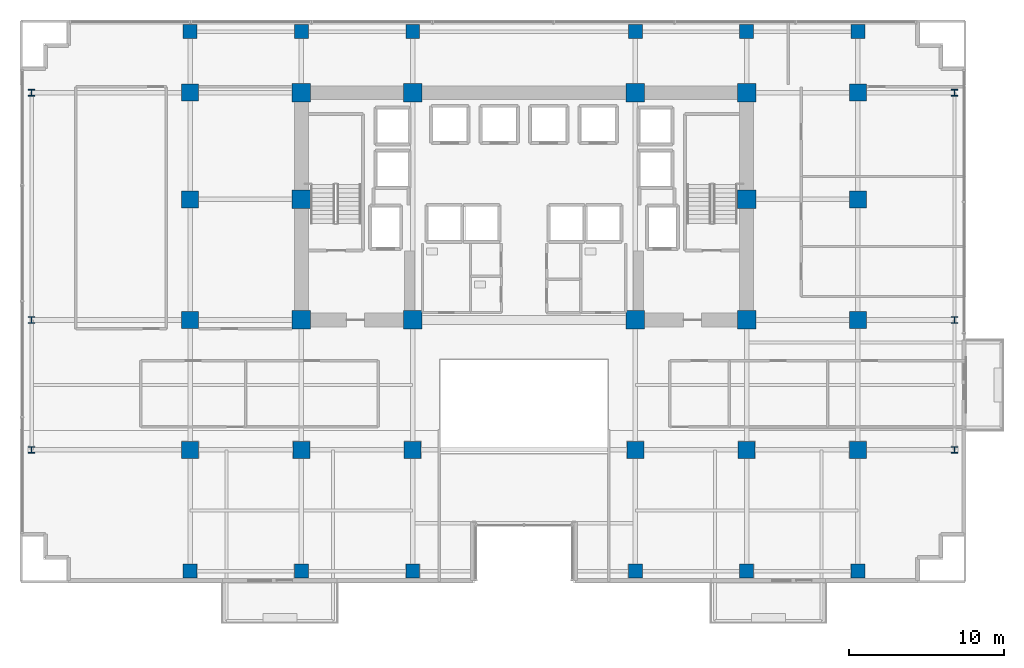
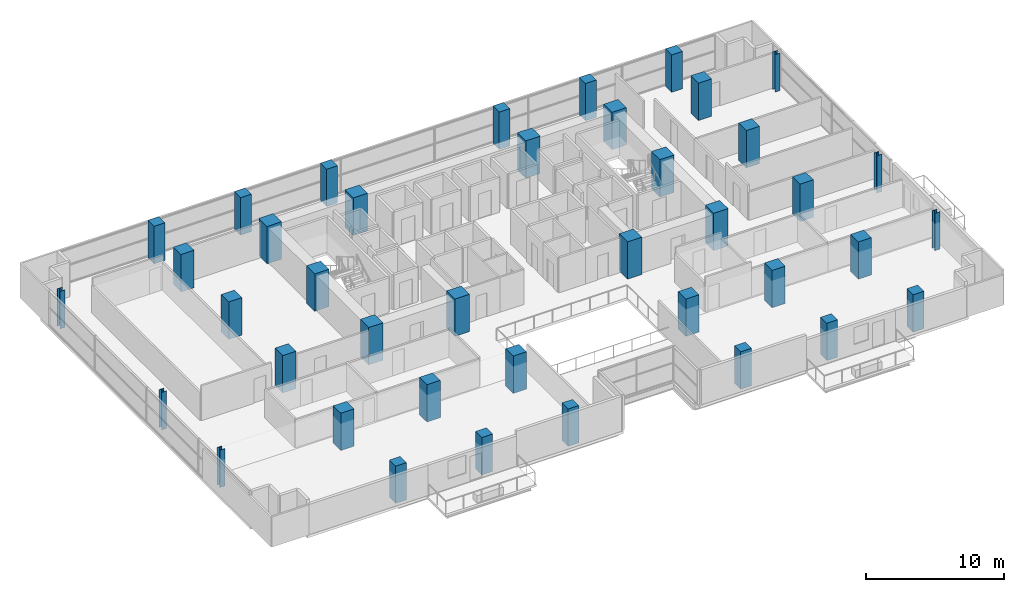
# One storey, part 1 of 30: 40 columns.
"""IFC4 building model written with IfcOpenShell, lengths in metres."""

from ifc_helpers import new_model, si_unit, direction, frame, origin, origin_2d, place, context, subcontext, project, spatial, rectangle, i_section, extrude, material, material_profile, profile_set, type_object, element, save


model = new_model("IFC4")

# Units and contexts
model_context = context("Model", 3, precision=1e-05, world=origin(), true_north=direction((0.0, 1.0)))
body_context = subcontext(model_context, "Body", "Model", "MODEL_VIEW")
ifc_project = project(units=[si_unit("LENGTHUNIT", "METRE"), si_unit("AREAUNIT", "SQUARE_METRE"), si_unit("VOLUMEUNIT", "CUBIC_METRE"), si_unit("PLANEANGLEUNIT", "RADIAN"), si_unit("MASSUNIT", "GRAM", prefix="KILO")], contexts=[model_context])

# Site, building, storey
site_placement = place(None, origin())
site = spatial("IfcSite", under=ifc_project, at=site_placement, CompositionType="ELEMENT")
building_placement = place(site_placement, origin())
building = spatial("IfcBuilding", under=site, at=building_placement, Name="Zarnakvel Exchange Tower", CompositionType="ELEMENT")
storey_placement = place(building_placement, frame((0.0, 0.0, 43.89990234375)))
storey = spatial("IfcBuildingStorey", under=building, at=storey_placement, Name="L11", CompositionType="ELEMENT", Elevation=43.89990234375)

# Columns
ifc_material_1 = material(Name="Concrete C80/95", Category="concrete")
ifc_material_profile_1 = material_profile(ifc_material_1, rectangle(XDim=1.199951171875, YDim=1.199951171875, at=origin_2d()))
ifc_profile_set_1 = profile_set([ifc_material_profile_1], Name="Concrete C80/95")
column_type_1 = type_object("IfcColumnType", Name="CC-01", PredefinedType="COLUMN", material=ifc_profile_set_1)
for number, where, z_axis, x_axis, name in (
    (1, (-14.39990234375, -1.199951171875, 0.0), (0.0, 0.0, 1.0), (1.0, 0.0, 0.0), "L11 Column C-4D (CC-01)"),
    (2, (-7.199951171875, -1.199951171875, 0.0), (0.0, 0.0, 1.0), (1.0, 0.0, 0.0), "L11 Column C-5D (CC-01)"),
    (3, (7.199951171875, -1.199951171875, 0.0), (0.0, 0.0, 1.0), (1.0, 0.0, 0.0), "L11 Column C-8D (CC-01)"),
    (4, (14.39990234375, -1.199951171875, 0.0), (0.0, 0.0, 1.0), (1.0, 0.0, 0.0), "L11 Column C-9D (CC-01)"),
    (5, (-14.39990234375, 6.60009765625, 0.0), (0.0, 0.0, 1.0), (1.0, 0.0, 0.0), "L11 Column C-4E (CC-01)"),
    (6, (14.39990234375, 6.60009765625, 0.0), (0.0, 0.0, 1.0), (1.0, 0.0, 0.0), "L11 Column C-9E (CC-01)"),
    (7, (-14.39990234375, 13.5, 0.0), (0.0, 0.0, 1.0), (1.0, 0.0, 0.0), "L11 Column C-4F (CC-01)"),
    (8, (-7.199951171875, 13.5, 0.0), (0.0, 0.0, 1.0), (1.0, 0.0, 0.0), "L11 Column C-5F (CC-01)"),
    (9, (7.199951171875, 13.5, 0.0), (0.0, 0.0, 1.0), (1.0, 0.0, 0.0), "L11 Column C-8F (CC-01)"),
    (10, (14.39990234375, 13.5, 0.0), (0.0, 0.0, 1.0), (1.0, 0.0, 0.0), "L11 Column C-9F (CC-01)"),
):
    element("IfcColumn", number, at=place(storey_placement, frame(where, z_axis=z_axis, x_axis=x_axis)), inside=storey, type_object=column_type_1, Name=name, PredefinedType="COLUMN", context=body_context, shape_type="SweptSolid", body=[
        extrude(rectangle(XDim=1.199951171875, YDim=1.199951171875, at=origin_2d()), origin(), (0.0, 0.0, 1.0), 3.300048828125),
    ])
ifc_material_2 = material(Name="Steel S355", Category="steel")
ifc_material_profile_2 = material_profile(ifc_material_2, i_section(OverallWidth=0.412109375, OverallDepth=0.425048828125, WebThickness=0.02587890625, FlangeThickness=0.0390625, FilletRadius=0.014892578125, at=origin_2d()))
ifc_profile_set_2 = profile_set([ifc_material_profile_2], Name="Steel S355")
column_type_2 = type_object("IfcColumnType", Name="SC-01", PredefinedType="COLUMN", material=ifc_profile_set_2)
for number, where, z_axis, x_axis, name in (
    (11, (-31.85009765625, -9.60009765625, 0.0), (0.0, 0.0, 1.0), (1.0, 0.0, 0.0), "L11 Column TW-C (SC-01)"),
    (12, (27.85009765625, -9.60009765625, 0.0), (0.0, 0.0, 1.0), (1.0, 0.0, 0.0), "L11 Column TE-C (SC-01)"),
    (13, (-31.85009765625, -1.199951171875, 0.0), (0.0, 0.0, 1.0), (1.0, 0.0, 0.0), "L11 Column TW-D (SC-01)"),
    (14, (27.85009765625, -1.199951171875, 0.0), (0.0, 0.0, 1.0), (1.0, 0.0, 0.0), "L11 Column TE-D (SC-01)"),
    (15, (-31.85009765625, 13.5, 0.0), (0.0, 0.0, 1.0), (1.0, 0.0, 0.0), "L11 Column TW-F (SC-01)"),
    (16, (27.85009765625, 13.5, 0.0), (0.0, 0.0, 1.0), (1.0, 0.0, 0.0), "L11 Column TE-F (SC-01)"),
):
    element("IfcColumn", number, at=place(storey_placement, frame(where, z_axis=z_axis, x_axis=x_axis)), inside=storey, type_object=column_type_2, Name=name, PredefinedType="COLUMN", context=body_context, shape_type="SweptSolid", body=[
        extrude(i_section(OverallWidth=0.412109375, OverallDepth=0.425048828125, WebThickness=0.02587890625, FlangeThickness=0.0390625, FilletRadius=0.014892578125, at=origin_2d()), origin(), (0.0, 0.0, 1.0), 3.300048828125),
    ])
ifc_material_profile_3 = material_profile(ifc_material_1, rectangle(XDim=1.10009765625, YDim=1.10009765625, at=origin_2d()))
ifc_profile_set_3 = profile_set([ifc_material_profile_3], Name="Concrete C80/95")
column_type_3 = type_object("IfcColumnType", Name="TC-01", PredefinedType="COLUMN", material=ifc_profile_set_3)
for number, where, z_axis, x_axis, name in (
    (17, (-14.39990234375, -9.60009765625, 0.0), (0.0, 0.0, 1.0), (1.0, 0.0, 0.0), "L11 Column T-4C (TC-01)"),
    (18, (-7.199951171875, -9.60009765625, 0.0), (0.0, 0.0, 1.0), (1.0, 0.0, 0.0), "L11 Column T-5C (TC-01)"),
    (19, (7.199951171875, -9.60009765625, 0.0), (0.0, 0.0, 1.0), (1.0, 0.0, 0.0), "L11 Column T-8C (TC-01)"),
    (20, (14.39990234375, -9.60009765625, 0.0), (0.0, 0.0, 1.0), (1.0, 0.0, 0.0), "L11 Column T-9C (TC-01)"),
    (21, (-21.60009765625, -9.60009765625, 0.0), (0.0, 0.0, 1.0), (1.0, 0.0, 0.0), "L11 Column T-3C (TC-01)"),
    (22, (-21.60009765625, -1.199951171875, 0.0), (0.0, 0.0, 1.0), (1.0, 0.0, 0.0), "L11 Column T-3D (TC-01)"),
    (23, (-21.60009765625, 6.60009765625, 0.0), (0.0, 0.0, 1.0), (1.0, 0.0, 0.0), "L11 Column T-3E (TC-01)"),
    (24, (-21.60009765625, 13.5, 0.0), (0.0, 0.0, 1.0), (1.0, 0.0, 0.0), "L11 Column T-3F (TC-01)"),
    (25, (21.60009765625, -9.60009765625, 0.0), (0.0, 0.0, 1.0), (1.0, 0.0, 0.0), "L11 Column T-10C (TC-01)"),
    (26, (21.60009765625, -1.199951171875, 0.0), (0.0, 0.0, 1.0), (1.0, 0.0, 0.0), "L11 Column T-10D (TC-01)"),
    (27, (21.60009765625, 6.60009765625, 0.0), (0.0, 0.0, 1.0), (1.0, 0.0, 0.0), "L11 Column T-10E (TC-01)"),
    (28, (21.60009765625, 13.5, 0.0), (0.0, 0.0, 1.0), (1.0, 0.0, 0.0), "L11 Column T-10F (TC-01)"),
):
    element("IfcColumn", number, at=place(storey_placement, frame(where, z_axis=z_axis, x_axis=x_axis)), inside=storey, type_object=column_type_3, Name=name, PredefinedType="COLUMN", context=body_context, shape_type="SweptSolid", body=[
        extrude(rectangle(XDim=1.10009765625, YDim=1.10009765625, at=origin_2d()), origin(), (0.0, 0.0, 1.0), 3.300048828125),
    ])
ifc_material_3 = material(Name="Concrete C60/75", Category="concrete")
ifc_material_profile_4 = material_profile(ifc_material_3, rectangle(XDim=0.89990234375, YDim=0.89990234375, at=origin_2d()))
ifc_profile_set_4 = profile_set([ifc_material_profile_4], Name="Concrete C60/75")
column_type_4 = type_object("IfcColumnType", Name="TC-02", PredefinedType="COLUMN", material=ifc_profile_set_4)
for number, where, z_axis, x_axis, name in (
    (29, (-14.39990234375, -17.449951171875, 0.0), (0.0, 0.0, 1.0), (1.0, 0.0, 0.0), "L11 Column TS-4 (TC-02)"),
    (30, (-14.39990234375, 17.449951171875, 0.0), (0.0, 0.0, 1.0), (1.0, 0.0, 0.0), "L11 Column TN-4 (TC-02)"),
    (31, (-7.199951171875, -17.449951171875, 0.0), (0.0, 0.0, 1.0), (1.0, 0.0, 0.0), "L11 Column TS-5 (TC-02)"),
    (32, (-7.199951171875, 17.449951171875, 0.0), (0.0, 0.0, 1.0), (1.0, 0.0, 0.0), "L11 Column TN-5 (TC-02)"),
    (33, (7.199951171875, -17.449951171875, 0.0), (0.0, 0.0, 1.0), (1.0, 0.0, 0.0), "L11 Column TS-8 (TC-02)"),
    (34, (7.199951171875, 17.449951171875, 0.0), (0.0, 0.0, 1.0), (1.0, 0.0, 0.0), "L11 Column TN-8 (TC-02)"),
    (35, (14.39990234375, -17.449951171875, 0.0), (0.0, 0.0, 1.0), (1.0, 0.0, 0.0), "L11 Column TS-9 (TC-02)"),
    (36, (14.39990234375, 17.449951171875, 0.0), (0.0, 0.0, 1.0), (1.0, 0.0, 0.0), "L11 Column TN-9 (TC-02)"),
    (37, (-21.60009765625, -17.449951171875, 0.0), (0.0, 0.0, 1.0), (1.0, 0.0, 0.0), "L11 Column TS-3 (TC-02)"),
    (38, (-21.60009765625, 17.449951171875, 0.0), (0.0, 0.0, 1.0), (1.0, 0.0, 0.0), "L11 Column TN-3 (TC-02)"),
    (39, (21.60009765625, -17.449951171875, 0.0), (0.0, 0.0, 1.0), (1.0, 0.0, 0.0), "L11 Column TS-10 (TC-02)"),
    (40, (21.60009765625, 17.449951171875, 0.0), (0.0, 0.0, 1.0), (1.0, 0.0, 0.0), "L11 Column TN-10 (TC-02)"),
):
    element("IfcColumn", number, at=place(storey_placement, frame(where, z_axis=z_axis, x_axis=x_axis)), inside=storey, type_object=column_type_4, Name=name, PredefinedType="COLUMN", context=body_context, shape_type="SweptSolid", body=[
        extrude(rectangle(XDim=0.89990234375, YDim=0.89990234375, at=origin_2d()), origin(), (0.0, 0.0, 1.0), 3.300048828125),
    ])

save(model, "model.ifc")
